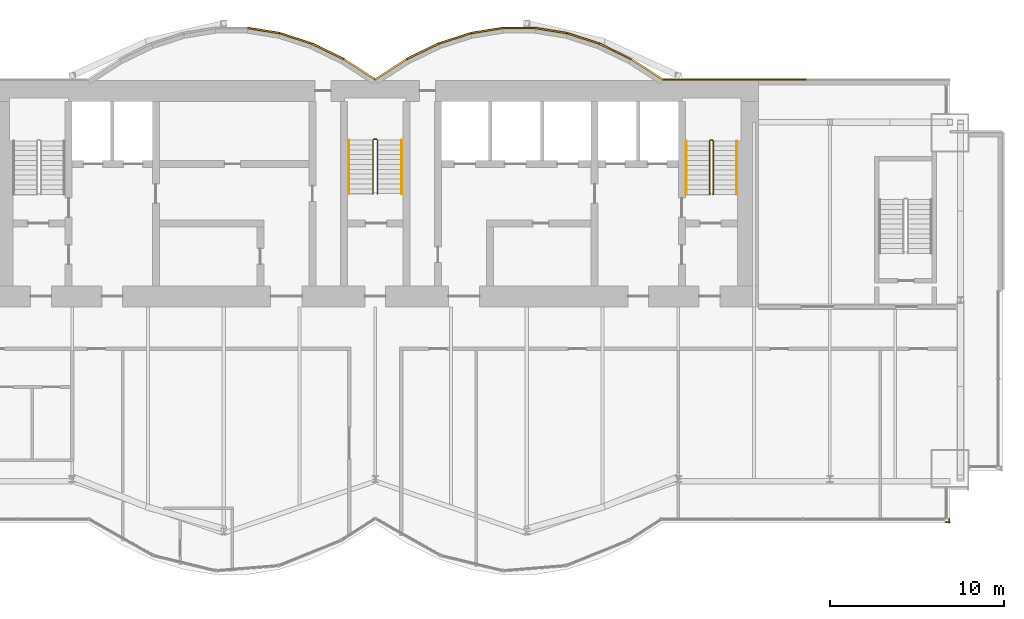
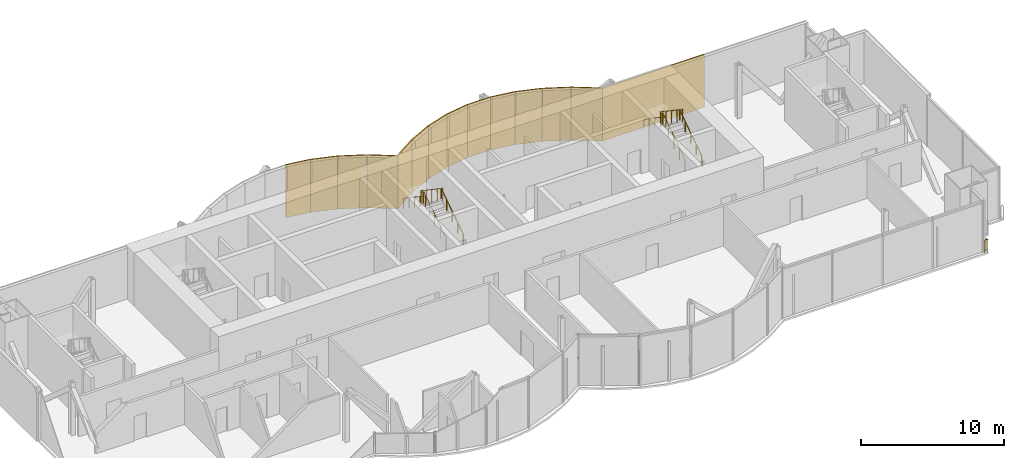
# One storey, part 15 of 16: 14 coverings, 7 railings.
"""IFC4 building model written with IfcOpenShell, lengths in metres."""

from ifc_helpers import new_model, si_unit, direction, frame, origin, origin_2d, place, context, subcontext, project, spatial, rectangle, circle, extrude, material, layer, layer_set, type_object, element, save


model = new_model("IFC4")

# Units and contexts
model_context = context("Model", 3, precision=1e-05, world=origin(), true_north=direction((0.0, 1.0)))
body_context = subcontext(model_context, "Body", "Model", "MODEL_VIEW")
ifc_project = project(units=[si_unit("LENGTHUNIT", "METRE"), si_unit("AREAUNIT", "SQUARE_METRE"), si_unit("VOLUMEUNIT", "CUBIC_METRE"), si_unit("PLANEANGLEUNIT", "RADIAN"), si_unit("MASSUNIT", "GRAM", prefix="KILO")], contexts=[model_context])

# Site, building, storey
site_placement = place(None, origin())
site = spatial("IfcSite", under=ifc_project, at=site_placement, CompositionType="ELEMENT")
building_placement = place(site_placement, origin())
building = spatial("IfcBuilding", under=site, at=building_placement, Name="Bicima Exchange Tower", CompositionType="ELEMENT")
storey_placement = place(building_placement, frame((0.0, 0.0, 329.0)))
storey = spatial("IfcBuildingStorey", under=building, at=storey_placement, Name="L74", CompositionType="ELEMENT", Elevation=329.0)

# Coverings
ifc_material_1 = material(Name="Bronze metal cladding")
ifc_layer_1 = layer(ifc_material_1, 0.004)
ifc_material_2 = material(Name="Ventilated cavity")
ifc_layer_2 = layer(ifc_material_2, 0.06)
ifc_material_3 = material(Name="Galvanised steel rail and mineral wool", Category="steel")
ifc_layer_3 = layer(ifc_material_3, 0.036)
ifc_layer_set = layer_set([ifc_layer_1, ifc_layer_2, ifc_layer_3], Name="Ventilated cavity")
covering_type = type_object("IfcCoveringType", Name="Bronze metal cladding panel 100", PredefinedType="CLADDING", material=ifc_layer_set)
covering_1_placement = place(storey_placement, frame((20.625, 0.050048828125, -0.14990234375), z_axis=(0.0, 0.0, 1.0), x_axis=(-1.0, 0.0, 0.0)))
element("IfcCovering", 1, at=covering_1_placement, inside=storey, type_object=covering_type, Name="Bronze cladding L74 1.2", PredefinedType="CLADDING", context=body_context, shape_type="SweptSolid", body=[
    extrude(rectangle(XDim=8.25, YDim=0.10009765625, at=origin_2d()), origin(), (0.0, 0.0, 1.0), 4.5),
])
covering_2_placement = place(storey_placement, frame((15.610595703125, 0.634521484375, -0.14990234375), z_axis=(0.0, 0.0, 1.0), x_axis=(-0.839790466384, 0.542910648791, 0.0)))
element("IfcCovering", 2, at=covering_2_placement, inside=storey, type_object=covering_type, Name="Bronze cladding L74 2.1", PredefinedType="CLADDING", context=body_context, shape_type="SweptSolid", body=[
    extrude(rectangle(XDim=2.18310546875, YDim=0.10009765625, at=origin_2d()), origin(), (0.0, 0.0, 1.0), 4.5),
])
covering_3_placement = place(storey_placement, frame((13.771728515625, 1.674560546875, -0.14990234375), z_axis=(0.0, 0.0, 1.0), x_axis=(-0.899818346812, 0.436264762204, 0.0)))
element("IfcCovering", 3, at=covering_3_placement, inside=storey, type_object=covering_type, Name="Bronze cladding L74 3.1", PredefinedType="CLADDING", context=body_context, shape_type="SweptSolid", body=[
    extrude(rectangle(XDim=2.03759765625, YDim=0.10009765625, at=origin_2d()), origin(), (0.0, 0.0, 1.0), 4.5),
])
covering_4_placement = place(storey_placement, frame((11.931884765625, 2.41796875, -0.14990234375), z_axis=(0.0, 0.0, 1.0), x_axis=(-0.951524642381, 0.307572519808, 0.0)))
element("IfcCovering", 4, at=covering_4_placement, inside=storey, type_object=covering_type, Name="Bronze cladding L74 4.1", PredefinedType="CLADDING", context=body_context, shape_type="SweptSolid", body=[
    extrude(rectangle(XDim=1.9267578125, YDim=0.10009765625, at=origin_2d()), origin(), (0.0, 0.0, 1.0), 4.5),
])
covering_5_placement = place(storey_placement, frame((10.09130859375, 2.8642578125, -0.14990234375), z_axis=(0.0, 0.0, 1.0), x_axis=(-0.987189786347, 0.159550386184, 0.0)))
element("IfcCovering", 5, at=covering_5_placement, inside=storey, type_object=covering_type, Name="Bronze cladding L74 5.1", PredefinedType="CLADDING", context=body_context, shape_type="SweptSolid", body=[
    extrude(rectangle(XDim=1.857177734375, YDim=0.10009765625, at=origin_2d()), origin(), (0.0, 0.0, 1.0), 4.5),
])
covering_6_placement = place(storey_placement, frame((8.25, 3.012939453125, -0.14990234375), z_axis=(0.0, 0.0, 1.0), x_axis=(-1.0, 0.0, 0.0)))
element("IfcCovering", 6, at=covering_6_placement, inside=storey, type_object=covering_type, Name="Bronze cladding L74 6.1", PredefinedType="CLADDING", context=body_context, shape_type="SweptSolid", body=[
    extrude(rectangle(XDim=1.83349609375, YDim=0.10009765625, at=origin_2d()), origin(), (0.0, 0.0, 1.0), 4.5),
])
covering_7_placement = place(storey_placement, frame((6.40869140625, 2.8642578125, -0.14990234375), z_axis=(0.0, 0.0, 1.0), x_axis=(-0.987189786347, -0.159550386184, 0.0)))
element("IfcCovering", 7, at=covering_7_placement, inside=storey, type_object=covering_type, Name="Bronze cladding L74 7.1", PredefinedType="CLADDING", context=body_context, shape_type="SweptSolid", body=[
    extrude(rectangle(XDim=1.857177734375, YDim=0.10009765625, at=origin_2d()), origin(), (0.0, 0.0, 1.0), 4.5),
])
covering_8_placement = place(storey_placement, frame((4.568115234375, 2.41796875, -0.14990234375), z_axis=(0.0, 0.0, 1.0), x_axis=(-0.951524642381, -0.307572519808, 0.0)))
element("IfcCovering", 8, at=covering_8_placement, inside=storey, type_object=covering_type, Name="Bronze cladding L74 8.1", PredefinedType="CLADDING", context=body_context, shape_type="SweptSolid", body=[
    extrude(rectangle(XDim=1.9267578125, YDim=0.10009765625, at=origin_2d()), origin(), (0.0, 0.0, 1.0), 4.5),
])
covering_9_placement = place(storey_placement, frame((2.728271484375, 1.674560546875, -0.14990234375), z_axis=(0.0, 0.0, 1.0), x_axis=(-0.899818346812, -0.436264762204, 0.0)))
element("IfcCovering", 9, at=covering_9_placement, inside=storey, type_object=covering_type, Name="Bronze cladding L74 9.1", PredefinedType="CLADDING", context=body_context, shape_type="SweptSolid", body=[
    extrude(rectangle(XDim=2.03759765625, YDim=0.10009765625, at=origin_2d()), origin(), (0.0, 0.0, 1.0), 4.5),
])
for number, where, z_axis, x_axis, name in (
    (10, (0.889404296875, 0.634521484375, -0.14990234375), (0.0, 0.0, 1.0), (-0.839790466384, -0.542910648791, 0.0), "Bronze cladding L74 10.1"),
    (11, (-0.889404296875, 0.634521484375, -0.14990234375), (0.0, 0.0, 1.0), (-0.839790466384, 0.542910648791, 0.0), "Bronze cladding L74 11.1"),
):
    element("IfcCovering", number, at=place(storey_placement, frame(where, z_axis=z_axis, x_axis=x_axis)), inside=storey, type_object=covering_type, Name=name, PredefinedType="CLADDING", context=body_context, shape_type="SweptSolid", body=[
        extrude(rectangle(XDim=2.18310546875, YDim=0.10009765625, at=origin_2d()), origin(), (0.0, 0.0, 1.0), 4.5),
    ])
covering_10_placement = place(storey_placement, frame((-2.728271484375, 1.674560546875, -0.14990234375), z_axis=(0.0, 0.0, 1.0), x_axis=(-0.899818346812, 0.436264762204, 0.0)))
element("IfcCovering", 12, at=covering_10_placement, inside=storey, type_object=covering_type, Name="Bronze cladding L74 12.1", PredefinedType="CLADDING", context=body_context, shape_type="SweptSolid", body=[
    extrude(rectangle(XDim=2.03759765625, YDim=0.10009765625, at=origin_2d()), origin(), (0.0, 0.0, 1.0), 4.5),
])
covering_11_placement = place(storey_placement, frame((-4.568115234375, 2.41796875, -0.14990234375), z_axis=(0.0, 0.0, 1.0), x_axis=(-0.951524642381, 0.307572519808, 0.0)))
element("IfcCovering", 13, at=covering_11_placement, inside=storey, type_object=covering_type, Name="Bronze cladding L74 13.1", PredefinedType="CLADDING", context=body_context, shape_type="SweptSolid", body=[
    extrude(rectangle(XDim=1.9267578125, YDim=0.10009765625, at=origin_2d()), origin(), (0.0, 0.0, 1.0), 4.5),
])
covering_12_placement = place(storey_placement, frame((-6.40869140625, 2.8642578125, -0.14990234375), z_axis=(0.0, 0.0, 1.0), x_axis=(-0.987189786347, 0.159550386184, 0.0)))
element("IfcCovering", 14, at=covering_12_placement, inside=storey, type_object=covering_type, Name="Bronze cladding L74 14.1", PredefinedType="CLADDING", context=body_context, shape_type="SweptSolid", body=[
    extrude(rectangle(XDim=1.857177734375, YDim=0.10009765625, at=origin_2d()), origin(), (0.0, 0.0, 1.0), 4.5),
])

# Railings
ifc_material_4 = material(Name="Stainless steel and bonded safety glass", Category="steel")
railing_type_1 = type_object("IfcRailingType", Name="Edge guard 1100", PredefinedType="GUARDRAIL", material=ifc_material_4)
railing_1_placement = place(storey_placement, frame((32.949951171875, -25.1708984375, 0.0)))
element("IfcRailing", 15, at=railing_1_placement, inside=storey, type_object=railing_type_1, Name="Edge guard L74 388", PredefinedType="GUARDRAIL", context=body_context, shape_type="SweptSolid", body=[
    extrude(circle(Radius=0.02392578125, at=origin_2d()), frame((0.0, 0.0, 1.076171875), z_axis=(0.0, -1.0, 0.0), x_axis=(1.0, 0.0, 0.0)), (0.0, 0.0, 1.0), 0.237060546875),
    extrude(circle(Radius=0.02392578125, at=origin_2d()), frame((0.0, -0.237060546875, 1.076171875), z_axis=(0.707106781187, 0.707106781187, 0.0), x_axis=(-0.707106781187, 0.707106781187, 0.0)), (0.0, 0.0, 1.0), 0.07080078125),
    extrude(circle(Radius=0.02392578125, at=origin_2d()), frame((0.050048828125, -0.18701171875, 1.076171875), z_axis=(-1.0, 0.0, 0.0), x_axis=(0.0, -1.0, 0.0)), (0.0, 0.0, 1.0), 0.25),
    extrude(circle(Radius=0.02099609375, at=origin_2d()), origin(), (0.0, 0.0, 1.0), 1.052001953125),
    extrude(circle(Radius=0.02099609375, at=origin_2d()), frame((0.0, -0.237060546875, 0.0)), (0.0, 0.0, 1.0), 1.052001953125),
    extrude(circle(Radius=0.02099609375, at=origin_2d()), frame((0.050048828125, -0.18701171875, 0.0)), (0.0, 0.0, 1.0), 1.052001953125),
    extrude(circle(Radius=0.02099609375, at=origin_2d()), frame((-0.199951171875, -0.18701171875, 0.0)), (0.0, 0.0, 1.0), 1.052001953125),
])
ifc_material_5 = material(Name="Stainless steel", Category="steel")
railing_type_2 = type_object("IfcRailingType", Name="Stair guard 1100", PredefinedType="GUARDRAIL", material=ifc_material_5)
railing_2_placement = place(storey_placement, frame((0.125, -6.5, 0.1875)))
element("IfcRailing", 16, at=railing_2_placement, inside=storey, type_object=railing_type_2, Name="L74 ST-C stair guard 1", PredefinedType="GUARDRAIL", context=body_context, shape_type="SweptSolid", body=[
    extrude(circle(Radius=0.02392578125, at=origin_2d()), frame((0.0, 0.0, 1.076171875), z_axis=(0.0, 0.830913701846, 0.55640131208), x_axis=(-1.0, 0.0, 0.0)), (0.0, 0.0, 1.0), 3.706787109375),
    extrude(circle(Radius=0.02392578125, at=origin_2d()), frame((0.0, 3.080078125, 3.138671875), z_axis=(-0.708833529934, 0.705375805398, 0.0), x_axis=(-0.705375805398, -0.708833529934, 0.0)), (0.0, 0.0, 1.0), 0.070556640625),
    extrude(circle(Radius=0.02392578125, at=origin_2d()), frame((-0.050048828125, 3.1298828125, 3.138671875), z_axis=(-1.0, 0.0, 0.0), x_axis=(0.0, -1.0, 0.0)), (0.0, 0.0, 1.0), 0.14990234375),
    extrude(circle(Radius=0.02392578125, at=origin_2d()), frame((-0.199951171875, 3.1298828125, 3.138671875), z_axis=(-0.249802250048, -0.248583702486, 0.935844527007), x_axis=(0.705375805398, -0.708833529934, 0.0)), (0.0, 0.0, 1.0), 0.200439453125),
    extrude(circle(Radius=0.02392578125, at=origin_2d()), frame((-0.25, 3.080078125, 3.326171875), z_axis=(0.0, -0.830913701846, 0.55640131208), x_axis=(1.0, 0.0, 0.0)), (0.0, 0.0, 1.0), 3.706787109375),
    extrude(circle(Radius=0.02099609375, at=origin_2d()), origin(), (0.0, 0.0, 1.0), 1.052001953125),
    extrude(circle(Radius=0.02099609375, at=origin_2d()), frame((0.0, 0.77001953125, 0.515625)), (0.0, 0.0, 1.0), 1.052001953125),
    extrude(circle(Radius=0.02099609375, at=origin_2d()), frame((0.0, 1.5400390625, 1.03125)), (0.0, 0.0, 1.0), 1.052001953125),
    extrude(circle(Radius=0.02099609375, at=origin_2d()), frame((0.0, 2.31005859375, 1.546875)), (0.0, 0.0, 1.0), 1.052001953125),
    extrude(circle(Radius=0.02099609375, at=origin_2d()), frame((0.0, 3.080078125, 2.0625)), (0.0, 0.0, 1.0), 1.052001953125),
    extrude(circle(Radius=0.02099609375, at=origin_2d()), frame((-0.050048828125, 3.1298828125, 2.0625)), (0.0, 0.0, 1.0), 1.052001953125),
    extrude(circle(Radius=0.02099609375, at=origin_2d()), frame((-0.199951171875, 3.1298828125, 2.0625)), (0.0, 0.0, 1.0), 1.052001953125),
    extrude(circle(Radius=0.02099609375, at=origin_2d()), frame((-0.25, 3.080078125, 2.25)), (0.0, 0.0, 1.0), 1.052001953125),
    extrude(circle(Radius=0.02099609375, at=origin_2d()), frame((-0.25, 2.31005859375, 2.765625)), (0.0, 0.0, 1.0), 1.052001953125),
    extrude(circle(Radius=0.02099609375, at=origin_2d()), frame((-0.25, 1.5400390625, 3.28125)), (0.0, 0.0, 1.0), 1.052001953125),
    extrude(circle(Radius=0.02099609375, at=origin_2d()), frame((-0.25, 0.77001953125, 3.796875)), (0.0, 0.0, 1.0), 1.052001953125),
    extrude(circle(Radius=0.02099609375, at=origin_2d()), frame((-0.25, 0.0, 4.3125)), (0.0, 0.0, 1.0), 1.052001953125),
])
railing_3_placement = place(storey_placement, frame((19.39990234375, -6.550048828125, 0.1875)))
element("IfcRailing", 17, at=railing_3_placement, inside=storey, type_object=railing_type_2, Name="L74 ST-E stair guard 1", PredefinedType="GUARDRAIL", context=body_context, shape_type="SweptSolid", body=[
    extrude(circle(Radius=0.02392578125, at=origin_2d()), frame((0.0, 0.0, 1.076171875), z_axis=(0.0, 0.830913701846, 0.55640131208), x_axis=(-1.0, 0.0, 0.0)), (0.0, 0.0, 1.0), 3.706787109375),
    extrude(circle(Radius=0.02392578125, at=origin_2d()), frame((0.0, 3.080078125, 3.138671875), z_axis=(-0.705375805398, 0.708833529934, 0.0), x_axis=(-0.708833529934, -0.705375805398, 0.0)), (0.0, 0.0, 1.0), 0.070556640625),
    extrude(circle(Radius=0.02392578125, at=origin_2d()), frame((-0.0498046875, 3.130126953125, 3.138671875), z_axis=(-1.0, 0.0, 0.0), x_axis=(0.0, -1.0, 0.0)), (0.0, 0.0, 1.0), 0.10009765625),
    extrude(circle(Radius=0.02392578125, at=origin_2d()), frame((-0.14990234375, 3.130126953125, 3.138671875), z_axis=(-0.249726431254, -0.249726431254, 0.935560483917), x_axis=(0.707106781187, -0.707106781187, 0.0)), (0.0, 0.0, 1.0), 0.200439453125),
    extrude(circle(Radius=0.02392578125, at=origin_2d()), frame((-0.199951171875, 3.080078125, 3.326171875), z_axis=(0.0, -0.830913701846, 0.55640131208), x_axis=(1.0, 0.0, 0.0)), (0.0, 0.0, 1.0), 3.706787109375),
    extrude(circle(Radius=0.02099609375, at=origin_2d()), origin(), (0.0, 0.0, 1.0), 1.052001953125),
    extrude(circle(Radius=0.02099609375, at=origin_2d()), frame((0.0, 0.77001953125, 0.515625)), (0.0, 0.0, 1.0), 1.052001953125),
    extrude(circle(Radius=0.02099609375, at=origin_2d()), frame((0.0, 1.5400390625, 1.03125)), (0.0, 0.0, 1.0), 1.052001953125),
    extrude(circle(Radius=0.02099609375, at=origin_2d()), frame((0.0, 2.31005859375, 1.546875)), (0.0, 0.0, 1.0), 1.052001953125),
    extrude(circle(Radius=0.02099609375, at=origin_2d()), frame((0.0, 3.080078125, 2.0625)), (0.0, 0.0, 1.0), 1.052001953125),
    extrude(circle(Radius=0.02099609375, at=origin_2d()), frame((-0.0498046875, 3.130126953125, 2.0625)), (0.0, 0.0, 1.0), 1.052001953125),
    extrude(circle(Radius=0.02099609375, at=origin_2d()), frame((-0.14990234375, 3.130126953125, 2.0625)), (0.0, 0.0, 1.0), 1.052001953125),
    extrude(circle(Radius=0.02099609375, at=origin_2d()), frame((-0.199951171875, 3.080078125, 2.25)), (0.0, 0.0, 1.0), 1.052001953125),
    extrude(circle(Radius=0.02099609375, at=origin_2d()), frame((-0.199951171875, 2.31005859375, 2.765625)), (0.0, 0.0, 1.0), 1.052001953125),
    extrude(circle(Radius=0.02099609375, at=origin_2d()), frame((-0.199951171875, 1.5400390625, 3.28125)), (0.0, 0.0, 1.0), 1.052001953125),
    extrude(circle(Radius=0.02099609375, at=origin_2d()), frame((-0.199951171875, 0.77001953125, 3.796875)), (0.0, 0.0, 1.0), 1.052001953125),
    extrude(circle(Radius=0.02099609375, at=origin_2d()), frame((-0.199951171875, 0.0, 4.3125)), (0.0, 0.0, 1.0), 1.052001953125),
])
railing_type_3 = type_object("IfcRailingType", Name="Stair handrail 900", PredefinedType="HANDRAIL", material=ifc_material_5)
railing_4_placement = place(storey_placement, frame((1.52490234375, -6.5, 0.1875)))
element("IfcRailing", 18, at=railing_4_placement, inside=storey, type_object=railing_type_3, Name="L74 ST-C stair handrail 1", PredefinedType="HANDRAIL", context=body_context, shape_type="SweptSolid", body=[
    extrude(circle(Radius=0.02392578125, at=origin_2d()), frame((0.0, 0.0, 0.8759765625), z_axis=(0.0, 0.830913701846, 0.55640131208), x_axis=(-1.0, 0.0, 0.0)), (0.0, 0.0, 1.0), 3.706787109375),
    extrude(circle(Radius=0.02099609375, at=origin_2d()), origin(), (0.0, 0.0, 1.0), 0.851806640625),
    extrude(circle(Radius=0.02099609375, at=origin_2d()), frame((0.0, 0.77001953125, 0.515625)), (0.0, 0.0, 1.0), 0.851806640625),
    extrude(circle(Radius=0.02099609375, at=origin_2d()), frame((0.0, 1.5400390625, 1.03125)), (0.0, 0.0, 1.0), 0.851806640625),
    extrude(circle(Radius=0.02099609375, at=origin_2d()), frame((0.0, 2.31005859375, 1.546875)), (0.0, 0.0, 1.0), 0.851806640625),
    extrude(circle(Radius=0.02099609375, at=origin_2d()), frame((0.0, 3.080078125, 2.0625)), (0.0, 0.0, 1.0), 0.851806640625),
])
railing_5_placement = place(storey_placement, frame((-1.52490234375, -3.419921875, 2.47900390625)))
element("IfcRailing", 19, at=railing_5_placement, inside=storey, type_object=railing_type_3, Name="L74 ST-C stair handrail 2", PredefinedType="HANDRAIL", context=body_context, shape_type="SweptSolid", body=[
    extrude(circle(Radius=0.02392578125, at=origin_2d()), frame((0.0, 0.0, 0.8759765625), z_axis=(0.0, -0.830913701846, 0.55640131208), x_axis=(1.0, 0.0, 0.0)), (0.0, 0.0, 1.0), 3.706787109375),
    extrude(circle(Radius=0.02099609375, at=origin_2d()), origin(), (0.0, 0.0, 1.0), 0.851806640625),
    extrude(circle(Radius=0.02099609375, at=origin_2d()), frame((0.0, -0.77001953125, 0.515625)), (0.0, 0.0, 1.0), 0.851806640625),
    extrude(circle(Radius=0.02099609375, at=origin_2d()), frame((0.0, -1.5400390625, 1.03125)), (0.0, 0.0, 1.0), 0.851806640625),
    extrude(circle(Radius=0.02099609375, at=origin_2d()), frame((0.0, -2.31005859375, 1.546875)), (0.0, 0.0, 1.0), 0.851806640625),
    extrude(circle(Radius=0.02099609375, at=origin_2d()), frame((0.0, -3.080078125, 2.0625)), (0.0, 0.0, 1.0), 0.851806640625),
])
railing_6_placement = place(storey_placement, frame((20.75, -6.550048828125, 0.1875)))
element("IfcRailing", 20, at=railing_6_placement, inside=storey, type_object=railing_type_3, Name="L74 ST-E stair handrail 1", PredefinedType="HANDRAIL", context=body_context, shape_type="SweptSolid", body=[
    extrude(circle(Radius=0.02392578125, at=origin_2d()), frame((0.0, 0.0, 0.8759765625), z_axis=(0.0, 0.830913701846, 0.55640131208), x_axis=(-1.0, 0.0, 0.0)), (0.0, 0.0, 1.0), 3.706787109375),
    extrude(circle(Radius=0.02099609375, at=origin_2d()), origin(), (0.0, 0.0, 1.0), 0.851806640625),
    extrude(circle(Radius=0.02099609375, at=origin_2d()), frame((0.0, 0.77001953125, 0.515625)), (0.0, 0.0, 1.0), 0.851806640625),
    extrude(circle(Radius=0.02099609375, at=origin_2d()), frame((0.0, 1.5400390625, 1.03125)), (0.0, 0.0, 1.0), 0.851806640625),
    extrude(circle(Radius=0.02099609375, at=origin_2d()), frame((0.0, 2.31005859375, 1.546875)), (0.0, 0.0, 1.0), 0.851806640625),
    extrude(circle(Radius=0.02099609375, at=origin_2d()), frame((0.0, 3.080078125, 2.0625)), (0.0, 0.0, 1.0), 0.851806640625),
])
railing_7_placement = place(storey_placement, frame((17.85009765625, -3.469970703125, 2.47900390625)))
element("IfcRailing", 21, at=railing_7_placement, inside=storey, type_object=railing_type_3, Name="L74 ST-E stair handrail 2", PredefinedType="HANDRAIL", context=body_context, shape_type="SweptSolid", body=[
    extrude(circle(Radius=0.02392578125, at=origin_2d()), frame((0.0, 0.0, 0.8759765625), z_axis=(0.0, -0.830913701846, 0.55640131208), x_axis=(1.0, 0.0, 0.0)), (0.0, 0.0, 1.0), 3.706787109375),
    extrude(circle(Radius=0.02099609375, at=origin_2d()), origin(), (0.0, 0.0, 1.0), 0.851806640625),
    extrude(circle(Radius=0.02099609375, at=origin_2d()), frame((0.0, -0.77001953125, 0.515625)), (0.0, 0.0, 1.0), 0.851806640625),
    extrude(circle(Radius=0.02099609375, at=origin_2d()), frame((0.0, -1.5400390625, 1.03125)), (0.0, 0.0, 1.0), 0.851806640625),
    extrude(circle(Radius=0.02099609375, at=origin_2d()), frame((0.0, -2.31005859375, 1.546875)), (0.0, 0.0, 1.0), 0.851806640625),
    extrude(circle(Radius=0.02099609375, at=origin_2d()), frame((0.0, -3.080078125, 2.0625)), (0.0, 0.0, 1.0), 0.851806640625),
])

save(model, "model.ifc")
